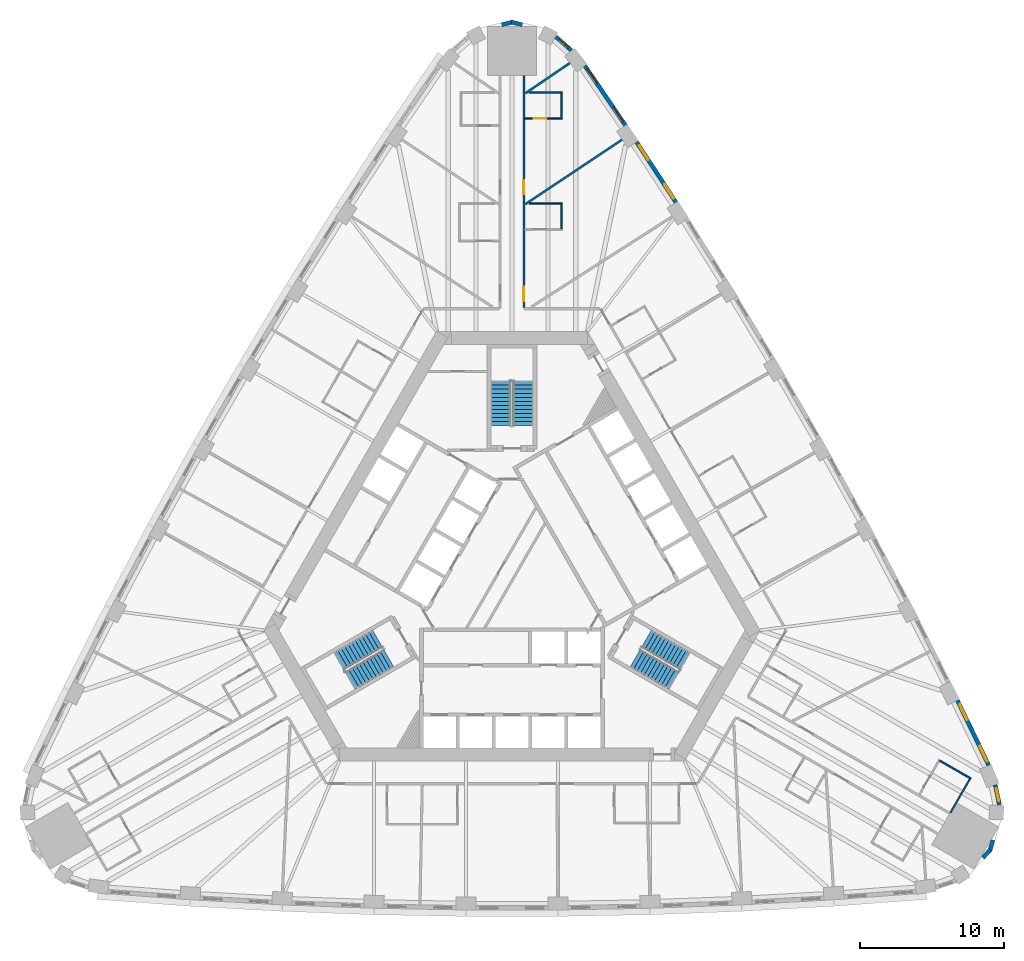
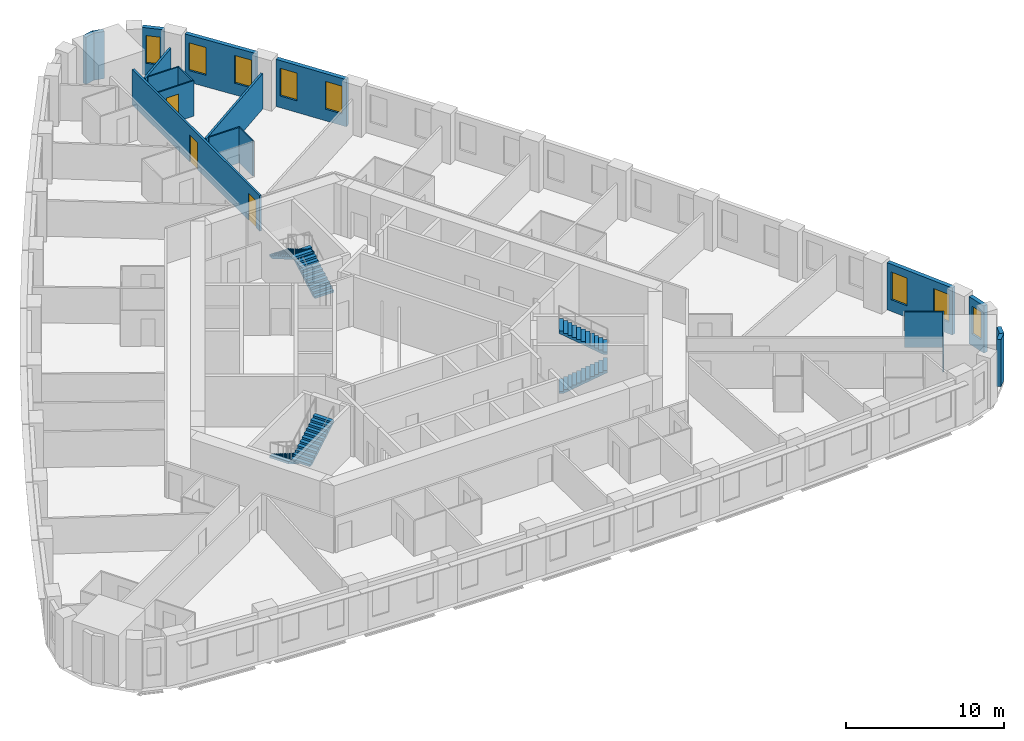
# One storey, part 11 of 12: 19 walls, 8 windows, 6 stair flights, 3 doors, 11 openings, 3 elements without a shape of their own.
"""IFC4 building model written with IfcOpenShell, lengths in metres."""

from ifc_helpers import new_model, si_unit, direction, frame, frame_2d, origin, place, context, subcontext, project, spatial, polyline, rectangle, outline, extrude, material, layer, layer_set, type_object, element, fill, aggregate, save


model = new_model("IFC4")

# Units and contexts
model_context = context("Model", 3, precision=1e-05, world=origin(), true_north=direction((0.0, 1.0)))
body_context = subcontext(model_context, "Body", "Model", "MODEL_VIEW")
ifc_project = project(units=[si_unit("LENGTHUNIT", "METRE"), si_unit("AREAUNIT", "SQUARE_METRE"), si_unit("VOLUMEUNIT", "CUBIC_METRE"), si_unit("PLANEANGLEUNIT", "RADIAN"), si_unit("MASSUNIT", "GRAM", prefix="KILO")], contexts=[model_context])

# Site, building, storey
site_placement = place(None, origin())
site = spatial("IfcSite", under=ifc_project, at=site_placement, CompositionType="ELEMENT")
building_placement = place(site_placement, origin())
building = spatial("IfcBuilding", under=site, at=building_placement, Name="Mestral Congress Tower", CompositionType="ELEMENT")
storey_placement = place(building_placement, frame((0.0, 0.0, 66.60009765625)))
storey = spatial("IfcBuildingStorey", under=building, at=storey_placement, Name="L15", CompositionType="ELEMENT", Elevation=66.60009765625)

# Walls
ifc_material_1 = material(Name="Precast concrete C40/50 with limestone facing", Category="masonry")
ifc_layer_1 = layer(ifc_material_1, 0.2900390625)
ifc_layer_set_1 = layer_set([ifc_layer_1], Name="Precast concrete C40/50 with limestone facing")
wall_type_1 = type_object("IfcWallType", Name="Facade stone wall 290", PredefinedType="SOLIDWALL", material=ifc_layer_set_1)
for number, where, z_axis, x_axis, name in (
    (1, (32.762451171875, -19.732177734375, 0.0), (0.0, 0.0, 1.0), (0.692252359589, 0.721655506903, 0.0), "Facade wall K0-1"),
    (2, (33.256591796875, -19.24072265625, 0.0), (0.0, 0.0, 1.0), (0.278981320915, 0.960296528464, 0.0), "Facade wall K0-2"),
):
    element("IfcWall", number, at=place(storey_placement, frame(where, z_axis=z_axis, x_axis=x_axis)), inside=storey, type_object=wall_type_1, Name=name, PredefinedType="SOLIDWALL", context=body_context, shape_type="SweptSolid", body=[
        extrude(rectangle(XDim=0.763916015625, YDim=0.2900390625, at=frame_2d((0.3818359375, 0.0))), origin(), (0.0, 0.0, 1.0), 3.64990234375),
    ])

# Wall, opening, window
wall_1_placement = place(storey_placement, frame((33.91748046875, -16.043701171875, 0.0), z_axis=(0.0, 0.0, 1.0), x_axis=(-0.198106888228, 0.980180422594, 0.0)))
wall_1 = element("IfcWall", 3, at=wall_1_placement, inside=storey, type_object=wall_type_1, Name="Facade wall K0-3", PredefinedType="SOLIDWALL", context=body_context, shape_type="SweptSolid", body=[
    extrude(rectangle(XDim=1.414794921875, YDim=0.2900390625, at=frame_2d((0.70751953125, 0.0))), origin(), (0.0, 0.0, 1.0), 3.64990234375),
])
opening_1_placement = place(wall_1_placement, frame((0.25732421875, 0.0, 0.89990234375)))
opening_1 = element("IfcOpeningElement", 4, at=opening_1_placement, cuts=wall_1, Name="Opening W3", PredefinedType="OPENING", context=body_context, shape_type="SweptSolid", body=[
    extrude(rectangle(XDim=0.89990234375, YDim=2.14990234375, at=frame_2d((0.449951171875, 1.074951171875))), frame((0.0, 0.155029296875, 0.0), z_axis=(0.0, -1.0, 0.0), x_axis=(1.0, 0.0, 0.0)), (0.0, 0.0, 1.0), 0.31005859375),
])
ifc_material_2 = material(Name="Clear low-emissivity double glazing", Category="glass")
window_type_1 = type_object("IfcWindowType", Name="Facade punched window 900 x 2150 sill 900", PartitioningType="SINGLE_PANEL", PredefinedType="WINDOW", material=ifc_material_2)
window_1_placement = place(opening_1_placement, origin())
window_1 = element("IfcWindow", 5, at=window_1_placement, inside=storey, type_object=window_type_1, Name="Window K0-3", OverallHeight=2.14990234375, OverallWidth=0.89990234375, PartitioningType="SINGLE_PANEL", PredefinedType="WINDOW", context=body_context, shape_type="SweptSolid", body=[
    extrude(rectangle(XDim=0.89990234375, YDim=2.14990234375, at=frame_2d((0.449951171875, 1.074951171875))), frame((0.0, 0.01513671875, 0.0), z_axis=(0.0, -1.0, 0.0), x_axis=(1.0, 0.0, 0.0)), (0.0, 0.0, 1.0), 0.06005859375),
])
fill(opening_1, window_1)

# Wall, openings, windows
wall_2_placement = place(storey_placement, frame((33.176025390625, -13.290283203125, 0.0), z_axis=(0.0, 0.0, 1.0), x_axis=(-0.434664499056, 0.900592456808, 0.0)))
wall_2 = element("IfcWall", 6, at=wall_2_placement, inside=storey, type_object=wall_type_1, Name="Facade wall F1-00", PredefinedType="SOLIDWALL", context=body_context, shape_type="SweptSolid", body=[
    extrude(rectangle(XDim=5.005615234375, YDim=0.2900390625, at=frame_2d((2.5029296875, 0.0))), origin(), (0.0, 0.0, 1.0), 3.64990234375),
])
opening_2_placement = place(wall_2_placement, frame((0.265380859375, 0.0, 0.89990234375)))
opening_2 = element("IfcOpeningElement", 7, at=opening_2_placement, cuts=wall_2, Name="Opening W1", PredefinedType="OPENING", context=body_context, shape_type="SweptSolid", body=[
    extrude(rectangle(XDim=1.199951171875, YDim=2.14990234375, at=frame_2d((0.60009765625, 1.074951171875))), frame((0.0, 0.155029296875, 0.0), z_axis=(0.0, -1.0, 0.0), x_axis=(1.0, 0.0, 0.0)), (0.0, 0.0, 1.0), 0.31005859375),
])
opening_3_placement = place(wall_2_placement, frame((3.49560546875, 0.0, 0.89990234375)))
opening_3 = element("IfcOpeningElement", 8, at=opening_3_placement, cuts=wall_2, Name="Opening W1", PredefinedType="OPENING", context=body_context, shape_type="SweptSolid", body=[
    extrude(rectangle(XDim=1.199951171875, YDim=2.14990234375, at=frame_2d((0.60009765625, 1.074951171875))), frame((0.0, 0.155029296875, 0.0), z_axis=(0.0, -1.0, 0.0), x_axis=(1.0, 0.0, 0.0)), (0.0, 0.0, 1.0), 0.31005859375),
])
window_type_2 = type_object("IfcWindowType", Name="Facade punched window 1200 x 2150 sill 900", PartitioningType="DOUBLE_PANEL_VERTICAL", PredefinedType="WINDOW", material=ifc_material_2)
window_2_placement = place(opening_2_placement, origin())
window_2 = element("IfcWindow", 9, at=window_2_placement, inside=storey, type_object=window_type_2, Name="Window F1-00a", OverallHeight=2.14990234375, OverallWidth=1.199951171875, PartitioningType="DOUBLE_PANEL_VERTICAL", PredefinedType="WINDOW", context=body_context, shape_type="SweptSolid", body=[
    extrude(rectangle(XDim=1.199951171875, YDim=2.14990234375, at=frame_2d((0.60009765625, 1.074951171875))), frame((0.0, 0.01513671875, 0.0), z_axis=(0.0, -1.0, 0.0), x_axis=(1.0, 0.0, 0.0)), (0.0, 0.0, 1.0), 0.06005859375),
])
fill(opening_2, window_2)
window_3_placement = place(opening_3_placement, origin())
window_3 = element("IfcWindow", 10, at=window_3_placement, inside=storey, type_object=window_type_2, Name="Window F1-00b", OverallHeight=2.14990234375, OverallWidth=1.199951171875, PartitioningType="DOUBLE_PANEL_VERTICAL", PredefinedType="WINDOW", context=body_context, shape_type="SweptSolid", body=[
    extrude(rectangle(XDim=1.199951171875, YDim=2.14990234375, at=frame_2d((0.60009765625, 1.074951171875))), frame((0.0, 0.01513671875, 0.0), z_axis=(0.0, -1.0, 0.0), x_axis=(1.0, 0.0, 0.0)), (0.0, 0.0, 1.0), 0.06005859375),
])
fill(opening_3, window_3)

wall_3_placement = place(storey_placement, frame((11.41064453125, 25.884033203125, 0.0), z_axis=(0.0, 0.0, 1.0), x_axis=(-0.547204617628, 0.836998868845, 0.0)))
wall_3 = element("IfcWall", 11, at=wall_3_placement, inside=storey, type_object=wall_type_1, Name="Facade wall F1-07", PredefinedType="SOLIDWALL", context=body_context, shape_type="SweptSolid", body=[
    extrude(rectangle(XDim=4.998291015625, YDim=0.2900390625, at=frame_2d((2.4990234375, 0.0))), origin(), (0.0, 0.0, 1.0), 3.64990234375),
])
opening_4_placement = place(wall_3_placement, frame((0.297119140625, 0.0, 0.89990234375)))
opening_4 = element("IfcOpeningElement", 12, at=opening_4_placement, cuts=wall_3, Name="Opening W1", PredefinedType="OPENING", context=body_context, shape_type="SweptSolid", body=[
    extrude(rectangle(XDim=1.199951171875, YDim=2.14990234375, at=frame_2d((0.60009765625, 1.074951171875))), frame((0.0, 0.155029296875, 0.0), z_axis=(0.0, -1.0, 0.0), x_axis=(1.0, 0.0, 0.0)), (0.0, 0.0, 1.0), 0.31005859375),
])
opening_5_placement = place(wall_3_placement, frame((3.501220703125, 0.0, 0.89990234375)))
opening_5 = element("IfcOpeningElement", 13, at=opening_5_placement, cuts=wall_3, Name="Opening W1", PredefinedType="OPENING", context=body_context, shape_type="SweptSolid", body=[
    extrude(rectangle(XDim=1.199951171875, YDim=2.14990234375, at=frame_2d((0.60009765625, 1.074951171875))), frame((0.0, 0.155029296875, 0.0), z_axis=(0.0, -1.0, 0.0), x_axis=(1.0, 0.0, 0.0)), (0.0, 0.0, 1.0), 0.31005859375),
])
window_4_placement = place(opening_4_placement, origin())
window_4 = element("IfcWindow", 14, at=window_4_placement, inside=storey, type_object=window_type_2, Name="Window F1-07a", OverallHeight=2.14990234375, OverallWidth=1.199951171875, PartitioningType="DOUBLE_PANEL_VERTICAL", PredefinedType="WINDOW", context=body_context, shape_type="SweptSolid", body=[
    extrude(rectangle(XDim=1.199951171875, YDim=2.14990234375, at=frame_2d((0.60009765625, 1.074951171875))), frame((0.0, 0.01513671875, 0.0), z_axis=(0.0, -1.0, 0.0), x_axis=(1.0, 0.0, 0.0)), (0.0, 0.0, 1.0), 0.06005859375),
])
fill(opening_4, window_4)
window_5_placement = place(opening_5_placement, origin())
window_5 = element("IfcWindow", 15, at=window_5_placement, inside=storey, type_object=window_type_2, Name="Window F1-07b", OverallHeight=2.14990234375, OverallWidth=1.199951171875, PartitioningType="DOUBLE_PANEL_VERTICAL", PredefinedType="WINDOW", context=body_context, shape_type="SweptSolid", body=[
    extrude(rectangle(XDim=1.199951171875, YDim=2.14990234375, at=frame_2d((0.60009765625, 1.074951171875))), frame((0.0, 0.01513671875, 0.0), z_axis=(0.0, -1.0, 0.0), x_axis=(1.0, 0.0, 0.0)), (0.0, 0.0, 1.0), 0.06005859375),
])
fill(opening_5, window_5)

wall_4_placement = place(storey_placement, frame((7.89453125, 31.23828125, 0.0), z_axis=(0.0, 0.0, 1.0), x_axis=(-0.562610153679, 0.826722332454, 0.0)))
wall_4 = element("IfcWall", 16, at=wall_4_placement, inside=storey, type_object=wall_type_1, Name="Facade wall F1-08", PredefinedType="SOLIDWALL", context=body_context, shape_type="SweptSolid", body=[
    extrude(rectangle(XDim=5.005615234375, YDim=0.2900390625, at=frame_2d((2.5029296875, 0.0))), origin(), (0.0, 0.0, 1.0), 3.64990234375),
])
opening_6_placement = place(wall_4_placement, frame((0.310302734375, 0.0, 0.89990234375)))
opening_6 = element("IfcOpeningElement", 17, at=opening_6_placement, cuts=wall_4, Name="Opening W1", PredefinedType="OPENING", context=body_context, shape_type="SweptSolid", body=[
    extrude(rectangle(XDim=1.199951171875, YDim=2.14990234375, at=frame_2d((0.60009765625, 1.074951171875))), frame((0.0, 0.155029296875, 0.0), z_axis=(0.0, -1.0, 0.0), x_axis=(1.0, 0.0, 0.0)), (0.0, 0.0, 1.0), 0.31005859375),
])
opening_7_placement = place(wall_4_placement, frame((3.54052734375, 0.0, 0.89990234375)))
opening_7 = element("IfcOpeningElement", 18, at=opening_7_placement, cuts=wall_4, Name="Opening W1", PredefinedType="OPENING", context=body_context, shape_type="SweptSolid", body=[
    extrude(rectangle(XDim=1.199951171875, YDim=2.14990234375, at=frame_2d((0.60009765625, 1.074951171875))), frame((0.0, 0.155029296875, 0.0), z_axis=(0.0, -1.0, 0.0), x_axis=(1.0, 0.0, 0.0)), (0.0, 0.0, 1.0), 0.31005859375),
])
window_6_placement = place(opening_6_placement, origin())
window_6 = element("IfcWindow", 19, at=window_6_placement, inside=storey, type_object=window_type_2, Name="Window F1-08a", OverallHeight=2.14990234375, OverallWidth=1.199951171875, PartitioningType="DOUBLE_PANEL_VERTICAL", PredefinedType="WINDOW", context=body_context, shape_type="SweptSolid", body=[
    extrude(rectangle(XDim=1.199951171875, YDim=2.14990234375, at=frame_2d((0.60009765625, 1.074951171875))), frame((0.0, 0.01513671875, 0.0), z_axis=(0.0, -1.0, 0.0), x_axis=(1.0, 0.0, 0.0)), (0.0, 0.0, 1.0), 0.06005859375),
])
fill(opening_6, window_6)
window_7_placement = place(opening_7_placement, origin())
window_7 = element("IfcWindow", 20, at=window_7_placement, inside=storey, type_object=window_type_2, Name="Window F1-08b", OverallHeight=2.14990234375, OverallWidth=1.199951171875, PartitioningType="DOUBLE_PANEL_VERTICAL", PredefinedType="WINDOW", context=body_context, shape_type="SweptSolid", body=[
    extrude(rectangle(XDim=1.199951171875, YDim=2.14990234375, at=frame_2d((0.60009765625, 1.074951171875))), frame((0.0, 0.01513671875, 0.0), z_axis=(0.0, -1.0, 0.0), x_axis=(1.0, 0.0, 0.0)), (0.0, 0.0, 1.0), 0.06005859375),
])
fill(opening_7, window_7)

# Wall, opening, window
wall_5_placement = place(storey_placement, frame((4.12548828125, 36.458984375, 0.0), z_axis=(0.0, 0.0, 1.0), x_axis=(-0.749812680302, 0.661650167731, 0.0)))
wall_5 = element("IfcWall", 21, at=wall_5_placement, inside=storey, type_object=wall_type_1, Name="Facade wall K1-0", PredefinedType="SOLIDWALL", context=body_context, shape_type="SweptSolid", body=[
    extrude(rectangle(XDim=1.4150390625, YDim=0.2900390625, at=frame_2d((0.70751953125, 0.0))), origin(), (0.0, 0.0, 1.0), 3.64990234375),
])
opening_8_placement = place(wall_5_placement, frame((0.257568359375, 0.0, 0.89990234375)))
opening_8 = element("IfcOpeningElement", 22, at=opening_8_placement, cuts=wall_5, Name="Opening W3", PredefinedType="OPENING", context=body_context, shape_type="SweptSolid", body=[
    extrude(rectangle(XDim=0.89990234375, YDim=2.14990234375, at=frame_2d((0.449951171875, 1.074951171875))), frame((0.0, 0.155029296875, 0.0), z_axis=(0.0, -1.0, 0.0), x_axis=(1.0, 0.0, 0.0)), (0.0, 0.0, 1.0), 0.31005859375),
])
window_8_placement = place(opening_8_placement, origin())
window_8 = element("IfcWindow", 23, at=window_8_placement, inside=storey, type_object=window_type_1, Name="Window K1-0", OverallHeight=2.14990234375, OverallWidth=0.89990234375, PartitioningType="SINGLE_PANEL", PredefinedType="WINDOW", context=body_context, shape_type="SweptSolid", body=[
    extrude(rectangle(XDim=0.89990234375, YDim=2.14990234375, at=frame_2d((0.449951171875, 1.074951171875))), frame((0.0, 0.01513671875, 0.0), z_axis=(0.0, -1.0, 0.0), x_axis=(1.0, 0.0, 0.0)), (0.0, 0.0, 1.0), 0.06005859375),
])
fill(opening_8, window_8)

# Walls
for number, where, z_axis, x_axis, name in (
    (24, (0.707275390625, 38.2392578125, 0.0), (0.0, 0.0, 1.0), (-0.971167582305, 0.238397833629, 0.0), "Facade wall K1-1"),
    (25, (0.03466796875, 38.42138671875, 0.0), (0.0, 0.0, 1.0), (-0.971167582305, -0.238397833629, 0.0), "Facade wall K1-2"),
):
    element("IfcWall", number, at=place(storey_placement, frame(where, z_axis=z_axis, x_axis=x_axis)), inside=storey, type_object=wall_type_1, Name=name, PredefinedType="SOLIDWALL", context=body_context, shape_type="SweptSolid", body=[
        extrude(rectangle(XDim=0.763916015625, YDim=0.2900390625, at=frame_2d((0.3818359375, 0.0))), origin(), (0.0, 0.0, 1.0), 3.64990234375),
    ])
ifc_material_3 = material(Name="Gypsum board partition on metal studs with mineral wool", Category="composite")
ifc_layer_2 = layer(ifc_material_3, 0.10009765625)
ifc_layer_set_2 = layer_set([ifc_layer_2], Name="Gypsum board partition on metal studs with mineral wool")
wall_type_2 = type_object("IfcWallType", Name="Hotel partition wall 100", PredefinedType="PARTITIONING", material=ifc_layer_set_2)
wall_6_placement = place(storey_placement, frame((29.770751953125, -12.973388671875, 0.0), z_axis=(0.0, 0.0, 1.0), x_axis=(0.865980596518, -0.500077600433, 0.0)))
element("IfcWall", 26, at=wall_6_placement, inside=storey, type_object=wall_type_2, Name="L15-h-pod08b", PredefinedType="PARTITIONING", context=body_context, shape_type="SweptSolid", body=[
    extrude(rectangle(XDim=2.39990234375, YDim=0.10009765625, at=frame_2d((1.199951171875, 0.0))), origin(), (0.0, 0.0, 1.0), 2.75),
])
wall_7_placement = place(storey_placement, frame((30.517578125, -16.580078125, 0.0), z_axis=(0.0, 0.0, 1.0), x_axis=(0.49998411664, 0.866034573852, 0.0)))
element("IfcWall", 27, at=wall_7_placement, inside=storey, type_object=wall_type_2, Name="L15-h-pod08c", PredefinedType="PARTITIONING", context=body_context, shape_type="SweptSolid", body=[
    extrude(rectangle(XDim=2.7998046875, YDim=0.10009765625, at=frame_2d((1.39990234375, 0.0))), origin(), (0.0, 0.0, 1.0), 2.75),
])
wall_8_placement = place(storey_placement, frame((3.449951171875, 24.04443359375, 0.0), z_axis=(0.0, 0.0, 1.0), x_axis=(0.0, 1.0, 0.0)))
element("IfcWall", 28, at=wall_8_placement, inside=storey, type_object=wall_type_2, Name="L15-h-pod14b", PredefinedType="PARTITIONING", context=body_context, shape_type="SweptSolid", body=[
    extrude(rectangle(XDim=1.699951171875, YDim=0.10009765625, at=frame_2d((0.85009765625, 0.0))), origin(), (0.0, 0.0, 1.0), 2.75),
])
wall_9_placement = place(storey_placement, frame((1.2099609375, 25.79443359375, 0.0), z_axis=(0.0, 0.0, 1.0), x_axis=(1.0, 0.0, 0.0)))
element("IfcWall", 29, at=wall_9_placement, inside=storey, type_object=wall_type_2, Name="L15-h-pod14c", PredefinedType="PARTITIONING", context=body_context, shape_type="SweptSolid", body=[
    extrude(rectangle(XDim=2.2900390625, YDim=0.10009765625, at=frame_2d((1.14501953125, 0.0))), origin(), (0.0, 0.0, 1.0), 2.75),
])

# Wall, opening, door
wall_10_placement = place(storey_placement, frame((0.89990234375, 31.70849609375, 0.0), z_axis=(0.0, 0.0, 1.0), x_axis=(1.0, 0.0, 0.0)))
wall_10 = element("IfcWall", 30, at=wall_10_placement, inside=storey, type_object=wall_type_2, Name="L15-h-pod15a", PredefinedType="PARTITIONING", context=body_context, shape_type="SweptSolid", body=[
    extrude(rectangle(XDim=2.60009765625, YDim=0.10009765625, at=frame_2d((1.300048828125, 0.0))), origin(), (0.0, 0.0, 1.0), 2.75),
])
opening_9_placement = place(wall_10_placement, frame((0.60009765625, 0.0, 0.0)))
opening_9 = element("IfcOpeningElement", 31, at=opening_9_placement, cuts=wall_10, Name="Opening H04-030", PredefinedType="OPENING", context=body_context, shape_type="SweptSolid", body=[
    extrude(rectangle(XDim=0.89990234375, YDim=2.10009765625, at=frame_2d((0.449951171875, 1.050048828125))), frame((0.0, 0.06005859375, 0.0), z_axis=(0.0, -1.0, 0.0), x_axis=(1.0, 0.0, 0.0)), (0.0, 0.0, 1.0), 0.1201171875),
])
ifc_material_4 = material(Name="Timber veneer door leaf in timber frame", Category="wood")
door_type_1 = type_object("IfcDoorType", Name="Bathroom door 900", OperationType="SINGLE_SWING_LEFT", PredefinedType="DOOR", material=ifc_material_4)
door_1_placement = place(opening_9_placement, origin())
door_1 = element("IfcDoor", 32, at=door_1_placement, inside=storey, type_object=door_type_1, Name="L15-h-d030", OperationType="SINGLE_SWING_RIGHT", OverallHeight=2.10009765625, OverallWidth=0.89990234375, PredefinedType="DOOR", context=body_context, shape_type="SweptSolid", body=[
    extrude(rectangle(XDim=0.89990234375, YDim=2.10009765625, at=frame_2d((0.449951171875, 1.050048828125))), frame((0.0, 0.02490234375, 0.0), z_axis=(0.0, -1.0, 0.0), x_axis=(1.0, 0.0, 0.0)), (0.0, 0.0, 1.0), 0.050048828125),
])
fill(opening_9, door_1)

# Walls
wall_11_placement = place(storey_placement, frame((3.449951171875, 31.758544921875, 0.0), z_axis=(0.0, 0.0, 1.0), x_axis=(0.0, 1.0, 0.0)))
element("IfcWall", 33, at=wall_11_placement, inside=storey, type_object=wall_type_2, Name="L15-h-pod15b", PredefinedType="PARTITIONING", context=body_context, shape_type="SweptSolid", body=[
    extrude(rectangle(XDim=1.699951171875, YDim=0.10009765625, at=frame_2d((0.85009765625, 0.0))), origin(), (0.0, 0.0, 1.0), 2.75),
])
wall_12_placement = place(storey_placement, frame((1.199951171875, 33.508544921875, 0.0), z_axis=(0.0, 0.0, 1.0), x_axis=(1.0, 0.0, 0.0)))
element("IfcWall", 34, at=wall_12_placement, inside=storey, type_object=wall_type_2, Name="L15-h-pod15c", PredefinedType="PARTITIONING", context=body_context, shape_type="SweptSolid", body=[
    extrude(rectangle(XDim=2.300048828125, YDim=0.10009765625, at=frame_2d((1.14990234375, 0.0))), origin(), (0.0, 0.0, 1.0), 2.75),
])

# Wall, openings, doors
ifc_layer_3 = layer(ifc_material_3, 0.14990234375)
ifc_layer_set_3 = layer_set([ifc_layer_3], Name="Gypsum board partition on metal studs with mineral wool")
wall_type_3 = type_object("IfcWallType", Name="Hotel partition wall 150", PredefinedType="PARTITIONING", material=ifc_layer_set_3)
wall_13_placement = place(storey_placement, frame((0.824951171875, 34.698974609375, 0.0), z_axis=(0.0, 0.0, 1.0), x_axis=(0.0, -1.0, 0.0)))
wall_13 = element("IfcWall", 35, at=wall_13_placement, inside=storey, type_object=wall_type_3, Name="L15-h-cw05", PredefinedType="PARTITIONING", context=body_context, shape_type="SweptSolid", body=[
    extrude(rectangle(XDim=16.14404296875, YDim=0.14990234375, at=frame_2d((8.072021484375, 0.0))), origin(), (0.0, 0.0, 1.0), 2.75),
])
opening_10_placement = place(wall_13_placement, frame((14.7138671875, 0.0, 0.0)))
opening_10 = element("IfcOpeningElement", 36, at=opening_10_placement, cuts=wall_13, Name="Opening H04-027", PredefinedType="OPENING", context=body_context, shape_type="SweptSolid", body=[
    extrude(rectangle(XDim=1.0, YDim=2.10009765625, at=frame_2d((0.5, 1.050048828125))), frame((0.0, 0.0849609375, 0.0), z_axis=(0.0, -1.0, 0.0), x_axis=(1.0, 0.0, 0.0)), (0.0, 0.0, 1.0), 0.169921875),
])
opening_11_placement = place(wall_13_placement, frame((7.274658203125, 0.0, 0.0)))
opening_11 = element("IfcOpeningElement", 37, at=opening_11_placement, cuts=wall_13, Name="Opening H04-029", PredefinedType="OPENING", context=body_context, shape_type="SweptSolid", body=[
    extrude(rectangle(XDim=1.0, YDim=2.10009765625, at=frame_2d((0.5, 1.050048828125))), frame((0.0, 0.0849609375, 0.0), z_axis=(0.0, -1.0, 0.0), x_axis=(1.0, 0.0, 0.0)), (0.0, 0.0, 1.0), 0.169921875),
])
ifc_material_5 = material(Name="Timber veneer door leaf in metal frame", Category="wood")
door_type_2 = type_object("IfcDoorType", Name="Guest room entrance door 1000", OperationType="SINGLE_SWING_LEFT", PredefinedType="DOOR", material=ifc_material_5)
door_2_placement = place(opening_10_placement, origin())
door_2 = element("IfcDoor", 38, at=door_2_placement, inside=storey, type_object=door_type_2, Name="L15-h-d027", OperationType="SINGLE_SWING_RIGHT", OverallHeight=2.10009765625, OverallWidth=1.0, PredefinedType="DOOR", context=body_context, shape_type="SweptSolid", body=[
    extrude(rectangle(XDim=1.0, YDim=2.10009765625, at=frame_2d((0.5, 1.050048828125))), frame((0.0, 0.02490234375, 0.0), z_axis=(0.0, -1.0, 0.0), x_axis=(1.0, 0.0, 0.0)), (0.0, 0.0, 1.0), 0.050048828125),
])
fill(opening_10, door_2)
door_3_placement = place(opening_11_placement, origin())
door_3 = element("IfcDoor", 39, at=door_3_placement, inside=storey, type_object=door_type_2, Name="L15-h-d029", OperationType="SINGLE_SWING_RIGHT", OverallHeight=2.10009765625, OverallWidth=1.0, PredefinedType="DOOR", context=body_context, shape_type="SweptSolid", body=[
    extrude(rectangle(XDim=1.0, YDim=2.10009765625, at=frame_2d((0.5, 1.050048828125))), frame((0.0, 0.02490234375, 0.0), z_axis=(0.0, -1.0, 0.0), x_axis=(1.0, 0.0, 0.0)), (0.0, 0.0, 1.0), 0.050048828125),
])
fill(opening_11, door_3)

# Walls
wall_14_placement = place(storey_placement, frame((7.662353515625, 30.237548828125, 0.0), z_axis=(0.0, 0.0, 1.0), x_axis=(-0.831882886825, -0.554951225431, 0.0)))
element("IfcWall", 40, at=wall_14_placement, inside=storey, type_object=wall_type_3, Name="L15-h-pw12", PredefinedType="PARTITIONING", context=body_context, shape_type="SweptSolid", body=[
    extrude(rectangle(XDim=8.078857421875, YDim=0.14990234375, at=frame_2d((4.03955078125, 0.0))), origin(), (0.0, 0.0, 1.0), 2.75),
])
wall_15_placement = place(storey_placement, frame((4.02783203125, 35.56884765625, 0.0), z_axis=(0.0, 0.0, 1.0), x_axis=(-0.826730622998, -0.562597971021, 0.0)))
element("IfcWall", 41, at=wall_15_placement, inside=storey, type_object=wall_type_3, Name="L15-h-pw15", PredefinedType="PARTITIONING", context=body_context, shape_type="SweptSolid", body=[
    extrude(rectangle(XDim=3.7333984375, YDim=0.14990234375, at=frame_2d((1.86669921875, 0.0))), origin(), (0.0, 0.0, 1.0), 2.75),
])

# Stair, stair flights
ifc_material_6 = material(Name="Concrete C60/75", Category="concrete")
stair_type = type_object("IfcStairType", Name="Exit stair 1400", PredefinedType="HALF_TURN_STAIR", material=ifc_material_6)
placement = place(storey_placement, origin())
stair_1 = element("IfcStair", 42, at=placement, inside=storey, type_object=stair_type, Name="L15 ST1", PredefinedType="HALF_TURN_STAIR")
stair_flight_type = type_object("IfcStairFlightType", Name="Exit stair flight 1400", PredefinedType="STRAIGHT", material=ifc_material_6)
stair_flight_1_placement = place(storey_placement, frame((8.575927734375, -5.84619140625, 0.0), z_axis=(0.0, 0.0, 1.0), x_axis=(0.866025403784, -0.5, 0.0)))
stair_flight_1 = element("IfcStairFlight", 43, at=stair_flight_1_placement, type_object=stair_flight_type, Name="ST1 flight 1", NumberOfRisers=12, NumberOfTreads=11, PredefinedType="STRAIGHT", RiserHeight=0.1625, TreadLength=0.28, context=body_context, shape_type="SweptSolid", body=[
    extrude(outline(polyline([(0.0, 0.0), (0.0, 0.16259765625), (0.280029296875, 0.16259765625), (0.280029296875, 0.324951171875), (0.56005859375, 0.324951171875), (0.56005859375, 0.487548828125), (0.840087890625, 0.487548828125), (0.840087890625, 0.64990234375), (1.1201171875, 0.64990234375), (1.1201171875, 0.8125), (1.39990234375, 0.8125), (1.39990234375, 0.97509765625), (1.679931640625, 0.97509765625), (1.679931640625, 1.137451171875), (1.9599609375, 1.137451171875), (1.9599609375, 1.300048828125), (2.239990234375, 1.300048828125), (2.239990234375, 1.46240234375), (2.52001953125, 1.46240234375), (2.52001953125, 1.625), (2.800048828125, 1.625), (2.800048828125, 1.78759765625), (3.080078125, 1.78759765625), (3.080078125, 1.949951171875), (3.080078125, 1.6142578125), (0.298583984375, 0.0), (0.0, 0.0)])), frame((0.0, 0.699951171875, 0.0), z_axis=(0.0, -1.0, 0.0), x_axis=(1.0, 0.0, 0.0)), (0.0, 0.0, 1.0), 1.39990234375),
])
stair_flight_2_placement = place(storey_placement, frame((12.018310546875, -6.0439453125, 1.949951171875), z_axis=(0.0, 0.0, 1.0), x_axis=(-0.866025403784, 0.5, 0.0)))
stair_flight_2 = element("IfcStairFlight", 44, at=stair_flight_2_placement, type_object=stair_flight_type, Name="ST1 flight 2", NumberOfRisers=12, NumberOfTreads=11, PredefinedType="STRAIGHT", RiserHeight=0.1625, TreadLength=0.28, context=body_context, shape_type="SweptSolid", body=[
    extrude(outline(polyline([(0.0, 0.0), (0.0, 0.16259765625), (0.280029296875, 0.16259765625), (0.280029296875, 0.324951171875), (0.56005859375, 0.324951171875), (0.56005859375, 0.487548828125), (0.840087890625, 0.487548828125), (0.840087890625, 0.64990234375), (1.1201171875, 0.64990234375), (1.1201171875, 0.8125), (1.39990234375, 0.8125), (1.39990234375, 0.97509765625), (1.679931640625, 0.97509765625), (1.679931640625, 1.137451171875), (1.9599609375, 1.137451171875), (1.9599609375, 1.300048828125), (2.239990234375, 1.300048828125), (2.239990234375, 1.46240234375), (2.52001953125, 1.46240234375), (2.52001953125, 1.625), (2.800048828125, 1.625), (2.800048828125, 1.78759765625), (3.080078125, 1.78759765625), (3.080078125, 1.949951171875), (3.080078125, 1.6142578125), (0.298583984375, 0.0), (0.0, 0.0)])), frame((0.0, 0.699951171875, 0.0), z_axis=(0.0, -1.0, 0.0), x_axis=(1.0, 0.0, 0.0)), (0.0, 0.0, 1.0), 1.39990234375),
])
aggregate(stair_1, [stair_flight_1, stair_flight_2])

stair_2 = element("IfcStair", 45, at=placement, inside=storey, type_object=stair_type, Name="L15 ST2", PredefinedType="HALF_TURN_STAIR")
stair_flight_3_placement = place(storey_placement, frame((0.77490234375, 10.35009765625, 0.0), z_axis=(0.0, 0.0, 1.0), x_axis=(0.0, 1.0, 0.0)))
stair_flight_3 = element("IfcStairFlight", 46, at=stair_flight_3_placement, type_object=stair_flight_type, Name="ST2 flight 1", NumberOfRisers=12, NumberOfTreads=11, PredefinedType="STRAIGHT", RiserHeight=0.1625, TreadLength=0.28, context=body_context, shape_type="SweptSolid", body=[
    extrude(outline(polyline([(0.0, 0.0), (0.0, 0.16259765625), (0.280029296875, 0.16259765625), (0.280029296875, 0.324951171875), (0.56005859375, 0.324951171875), (0.56005859375, 0.487548828125), (0.840087890625, 0.487548828125), (0.840087890625, 0.64990234375), (1.1201171875, 0.64990234375), (1.1201171875, 0.8125), (1.39990234375, 0.8125), (1.39990234375, 0.97509765625), (1.679931640625, 0.97509765625), (1.679931640625, 1.137451171875), (1.9599609375, 1.137451171875), (1.9599609375, 1.300048828125), (2.239990234375, 1.300048828125), (2.239990234375, 1.46240234375), (2.52001953125, 1.46240234375), (2.52001953125, 1.625), (2.800048828125, 1.625), (2.800048828125, 1.78759765625), (3.080078125, 1.78759765625), (3.080078125, 1.949951171875), (3.080078125, 1.6142578125), (0.298583984375, 0.0), (0.0, 0.0)])), frame((0.0, 0.699951171875, 0.0), z_axis=(0.0, -1.0, 0.0), x_axis=(1.0, 0.0, 0.0)), (0.0, 0.0, 1.0), 1.39990234375),
])
stair_flight_4_placement = place(storey_placement, frame((-0.77490234375, 13.429931640625, 1.949951171875), z_axis=(0.0, 0.0, 1.0), x_axis=(0.0, -1.0, 0.0)))
stair_flight_4 = element("IfcStairFlight", 47, at=stair_flight_4_placement, type_object=stair_flight_type, Name="ST2 flight 2", NumberOfRisers=12, NumberOfTreads=11, PredefinedType="STRAIGHT", RiserHeight=0.1625, TreadLength=0.28, context=body_context, shape_type="SweptSolid", body=[
    extrude(outline(polyline([(0.0, 0.0), (0.0, 0.16259765625), (0.280029296875, 0.16259765625), (0.280029296875, 0.324951171875), (0.56005859375, 0.324951171875), (0.56005859375, 0.487548828125), (0.840087890625, 0.487548828125), (0.840087890625, 0.64990234375), (1.1201171875, 0.64990234375), (1.1201171875, 0.8125), (1.39990234375, 0.8125), (1.39990234375, 0.97509765625), (1.679931640625, 0.97509765625), (1.679931640625, 1.137451171875), (1.9599609375, 1.137451171875), (1.9599609375, 1.300048828125), (2.239990234375, 1.300048828125), (2.239990234375, 1.46240234375), (2.52001953125, 1.46240234375), (2.52001953125, 1.625), (2.800048828125, 1.625), (2.800048828125, 1.78759765625), (3.080078125, 1.78759765625), (3.080078125, 1.949951171875), (3.080078125, 1.6142578125), (0.298583984375, 0.0), (0.0, 0.0)])), frame((0.0, 0.699951171875, 0.0), z_axis=(0.0, -1.0, 0.0), x_axis=(1.0, 0.0, 0.0)), (0.0, 0.0, 1.0), 1.39990234375),
])
aggregate(stair_2, [stair_flight_3, stair_flight_4])

stair_3 = element("IfcStair", 48, at=placement, inside=storey, type_object=stair_type, Name="L15 ST3", PredefinedType="HALF_TURN_STAIR")
stair_flight_5_placement = place(storey_placement, frame((-9.350830078125, -4.50390625, 0.0), z_axis=(0.0, 0.0, 1.0), x_axis=(-0.866025403784, -0.5, 0.0)))
stair_flight_5 = element("IfcStairFlight", 49, at=stair_flight_5_placement, type_object=stair_flight_type, Name="ST3 flight 1", NumberOfRisers=12, NumberOfTreads=11, PredefinedType="STRAIGHT", RiserHeight=0.1625, TreadLength=0.28, context=body_context, shape_type="SweptSolid", body=[
    extrude(outline(polyline([(0.0, 0.0), (0.0, 0.16259765625), (0.280029296875, 0.16259765625), (0.280029296875, 0.324951171875), (0.56005859375, 0.324951171875), (0.56005859375, 0.487548828125), (0.840087890625, 0.487548828125), (0.840087890625, 0.64990234375), (1.1201171875, 0.64990234375), (1.1201171875, 0.8125), (1.39990234375, 0.8125), (1.39990234375, 0.97509765625), (1.679931640625, 0.97509765625), (1.679931640625, 1.137451171875), (1.9599609375, 1.137451171875), (1.9599609375, 1.300048828125), (2.239990234375, 1.300048828125), (2.239990234375, 1.46240234375), (2.52001953125, 1.46240234375), (2.52001953125, 1.625), (2.800048828125, 1.625), (2.800048828125, 1.78759765625), (3.080078125, 1.78759765625), (3.080078125, 1.949951171875), (3.080078125, 1.6142578125), (0.298583984375, 0.0), (0.0, 0.0)])), frame((0.0, 0.699951171875, 0.0), z_axis=(0.0, -1.0, 0.0), x_axis=(1.0, 0.0, 0.0)), (0.0, 0.0, 1.0), 1.39990234375),
])
stair_flight_6_placement = place(storey_placement, frame((-11.2431640625, -7.38623046875, 1.949951171875), z_axis=(0.0, 0.0, 1.0), x_axis=(0.866025403784, 0.5, 0.0)))
stair_flight_6 = element("IfcStairFlight", 50, at=stair_flight_6_placement, type_object=stair_flight_type, Name="ST3 flight 2", NumberOfRisers=12, NumberOfTreads=11, PredefinedType="STRAIGHT", RiserHeight=0.1625, TreadLength=0.28, context=body_context, shape_type="SweptSolid", body=[
    extrude(outline(polyline([(0.0, 0.0), (0.0, 0.16259765625), (0.280029296875, 0.16259765625), (0.280029296875, 0.324951171875), (0.56005859375, 0.324951171875), (0.56005859375, 0.487548828125), (0.840087890625, 0.487548828125), (0.840087890625, 0.64990234375), (1.1201171875, 0.64990234375), (1.1201171875, 0.8125), (1.39990234375, 0.8125), (1.39990234375, 0.97509765625), (1.679931640625, 0.97509765625), (1.679931640625, 1.137451171875), (1.9599609375, 1.137451171875), (1.9599609375, 1.300048828125), (2.239990234375, 1.300048828125), (2.239990234375, 1.46240234375), (2.52001953125, 1.46240234375), (2.52001953125, 1.625), (2.800048828125, 1.625), (2.800048828125, 1.78759765625), (3.080078125, 1.78759765625), (3.080078125, 1.949951171875), (3.080078125, 1.6142578125), (0.298583984375, 0.0), (0.0, 0.0)])), frame((0.0, 0.699951171875, 0.0), z_axis=(0.0, -1.0, 0.0), x_axis=(1.0, 0.0, 0.0)), (0.0, 0.0, 1.0), 1.39990234375),
])
aggregate(stair_3, [stair_flight_5, stair_flight_6])

save(model, "model.ifc")
